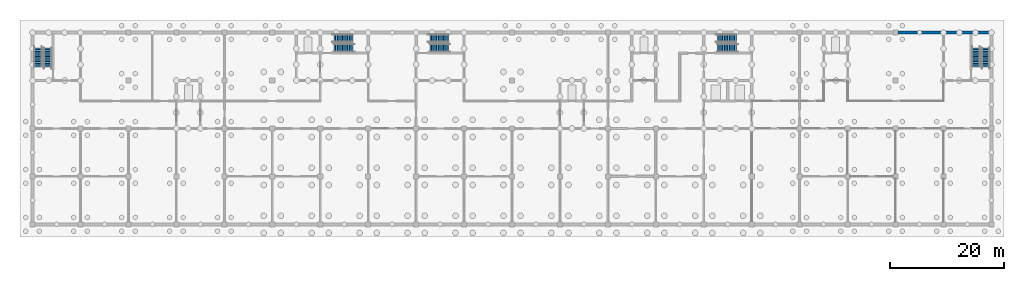
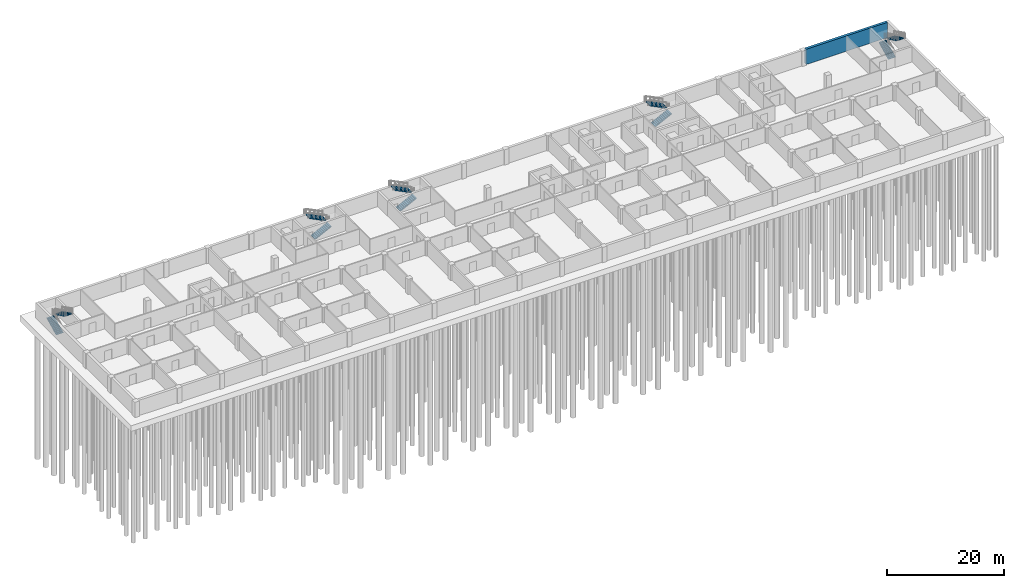
# One storey, part 9 of 11: 10 stair flights, 1 wall, 5 elements without a shape of their own.
"""IFC4 building model written with IfcOpenShell, lengths in metres."""

from ifc_helpers import new_model, si_unit, direction, frame, frame_2d, origin, place, context, subcontext, project, spatial, polyline, rectangle, outline, extrude, material, layer, layer_set, type_object, element, aggregate, save


model = new_model("IFC4")

# Units and contexts
model_context = context("Model", 3, precision=1e-05, world=origin(), true_north=direction((0.0, 1.0)))
body_context = subcontext(model_context, "Body", "Model", "MODEL_VIEW")
ifc_project = project(units=[si_unit("LENGTHUNIT", "METRE"), si_unit("AREAUNIT", "SQUARE_METRE"), si_unit("VOLUMEUNIT", "CUBIC_METRE"), si_unit("PLANEANGLEUNIT", "RADIAN"), si_unit("MASSUNIT", "GRAM", prefix="KILO")], contexts=[model_context])

# Site, building, storey
site_placement = place(None, origin())
site = spatial("IfcSite", under=ifc_project, at=site_placement, CompositionType="ELEMENT")
building_placement = place(site_placement, origin())
building = spatial("IfcBuilding", under=site, at=building_placement, Name="Yavir Park General Hospital", CompositionType="ELEMENT")
storey_placement = place(building_placement, frame((0.0, 0.0, -15.0)))
storey = spatial("IfcBuildingStorey", under=building, at=storey_placement, Name="B4", CompositionType="ELEMENT", Elevation=-15.0)

# Wall
ifc_material_1 = material(Name="Concrete C35/45", Category="concrete")
ifc_layer = layer(ifc_material_1, 0.5)
ifc_layer_set = layer_set([ifc_layer], Name="Concrete C35/45")
wall_type = type_object("IfcWallType", Name="RC WALL RETAINING 500", PredefinedType="SOLIDWALL", material=ifc_layer_set)
wall_placement = place(storey_placement, frame((151.64990234375, 33.60009765625, 0.0), z_axis=(0.0, 0.0, 1.0), x_axis=(1.0, 0.0, 0.0)))
element("IfcWall", 1, at=wall_placement, inside=storey, type_object=wall_type, Name="W:RET:B4:N29", PredefinedType="SOLIDWALL", context=body_context, shape_type="SweptSolid", body=[
    extrude(rectangle(XDim=16.10009765625, YDim=0.5, at=frame_2d((8.050048828125, 0.0))), origin(), (0.0, 0.0, 1.0), 3.199951171875),
])

# Stair, stair flights
ifc_material_2 = material(Name="Concrete C30/37", Category="concrete")
stair_type = type_object("IfcStairType", Name="Patient escape stair, 24 risers of 150 mm, 1400 mm flights", PredefinedType="HALF_TURN_STAIR", material=ifc_material_2)
stair_1_placement = place(storey_placement, origin())
stair_1 = element("IfcStair", 2, at=stair_1_placement, inside=storey, type_object=stair_type, Name="Stair BS1, B4 to B3", PredefinedType="HALF_TURN_STAIR")
ifc_material_3 = material(Name="Concrete C30/37", Category="concrete")
stair_flight_type = type_object("IfcStairFlightType", Name="Patient escape stair flight, 12 risers, 1400 mm wide", PredefinedType="STRAIGHT", material=ifc_material_3)
stair_flight_1_placement = place(storey_placement, frame((0.949951171875, 27.60009765625, 0.0), z_axis=(0.0, 0.0, 1.0), x_axis=(0.0, 1.0, 0.0)))
stair_flight_1 = element("IfcStairFlight", 3, at=stair_flight_1_placement, type_object=stair_flight_type, Name="BS1 flight 1", NumberOfRisers=12, NumberOfTreads=11, PredefinedType="STRAIGHT", RiserHeight=0.15, TreadLength=0.3, context=body_context, shape_type="SweptSolid", body=[
    extrude(outline(polyline([(0.0, 0.0), (0.0, 0.14990234375), (0.300048828125, 0.14990234375), (0.300048828125, 0.300048828125), (0.60009765625, 0.300048828125), (0.60009765625, 0.449951171875), (0.89990234375, 0.449951171875), (0.89990234375, 0.60009765625), (1.199951171875, 0.60009765625), (1.199951171875, 0.75), (1.5, 0.75), (1.5, 0.89990234375), (1.800048828125, 0.89990234375), (1.800048828125, 1.050048828125), (2.10009765625, 1.050048828125), (2.10009765625, 1.199951171875), (2.39990234375, 1.199951171875), (2.39990234375, 1.35009765625), (2.699951171875, 1.35009765625), (2.699951171875, 1.5), (3.0, 1.5), (3.0, 1.64990234375), (3.300048828125, 1.64990234375), (3.300048828125, 1.800048828125), (3.300048828125, 1.47119140625), (0.357666015625, 0.0), (0.0, 0.0)])), frame((0.0, 0.699951171875, 0.0), z_axis=(0.0, -1.0, 0.0), x_axis=(1.0, 0.0, 0.0)), (0.0, 0.0, 1.0), 1.39990234375),
])
stair_flight_2_placement = place(storey_placement, frame((2.64990234375, 30.89990234375, 1.800048828125), z_axis=(0.0, 0.0, 1.0), x_axis=(0.0, -1.0, 0.0)))
stair_flight_2 = element("IfcStairFlight", 4, at=stair_flight_2_placement, type_object=stair_flight_type, Name="BS1 flight 2", NumberOfRisers=12, NumberOfTreads=11, PredefinedType="STRAIGHT", RiserHeight=0.15, TreadLength=0.3, context=body_context, shape_type="SweptSolid", body=[
    extrude(outline(polyline([(0.0, 0.0), (0.0, 0.14990234375), (0.300048828125, 0.14990234375), (0.300048828125, 0.300048828125), (0.60009765625, 0.300048828125), (0.60009765625, 0.449951171875), (0.89990234375, 0.449951171875), (0.89990234375, 0.60009765625), (1.199951171875, 0.60009765625), (1.199951171875, 0.75), (1.5, 0.75), (1.5, 0.89990234375), (1.800048828125, 0.89990234375), (1.800048828125, 1.050048828125), (2.10009765625, 1.050048828125), (2.10009765625, 1.199951171875), (2.39990234375, 1.199951171875), (2.39990234375, 1.35009765625), (2.699951171875, 1.35009765625), (2.699951171875, 1.5), (3.0, 1.5), (3.0, 1.64990234375), (3.300048828125, 1.64990234375), (3.300048828125, 1.800048828125), (3.300048828125, 1.47119140625), (0.357666015625, 0.0), (0.0, 0.0)])), frame((0.0, 0.699951171875, 0.0), z_axis=(0.0, -1.0, 0.0), x_axis=(1.0, 0.0, 0.0)), (0.0, 0.0, 1.0), 1.39990234375),
])
aggregate(stair_1, [stair_flight_1, stair_flight_2])

stair_2_placement = place(storey_placement, origin())
stair_2 = element("IfcStair", 5, at=stair_2_placement, inside=storey, type_object=stair_type, Name="Stair BS2, B4 to B3", PredefinedType="HALF_TURN_STAIR")
stair_flight_3_placement = place(storey_placement, frame((52.800048828125, 30.89990234375, 0.0), z_axis=(0.0, 0.0, 1.0), x_axis=(1.0, 0.0, 0.0)))
stair_flight_3 = element("IfcStairFlight", 6, at=stair_flight_3_placement, type_object=stair_flight_type, Name="BS2 flight 1", NumberOfRisers=12, NumberOfTreads=11, PredefinedType="STRAIGHT", RiserHeight=0.15, TreadLength=0.3, context=body_context, shape_type="SweptSolid", body=[
    extrude(outline(polyline([(0.0, 0.0), (0.0, 0.14990234375), (0.300048828125, 0.14990234375), (0.300048828125, 0.300048828125), (0.60009765625, 0.300048828125), (0.60009765625, 0.449951171875), (0.89990234375, 0.449951171875), (0.89990234375, 0.60009765625), (1.199951171875, 0.60009765625), (1.199951171875, 0.75), (1.5, 0.75), (1.5, 0.89990234375), (1.800048828125, 0.89990234375), (1.800048828125, 1.050048828125), (2.10009765625, 1.050048828125), (2.10009765625, 1.199951171875), (2.39990234375, 1.199951171875), (2.39990234375, 1.35009765625), (2.699951171875, 1.35009765625), (2.699951171875, 1.5), (3.0, 1.5), (3.0, 1.64990234375), (3.300048828125, 1.64990234375), (3.300048828125, 1.800048828125), (3.300048828125, 1.47119140625), (0.357666015625, 0.0), (0.0, 0.0)])), frame((0.0, 0.699951171875, 0.0), z_axis=(0.0, -1.0, 0.0), x_axis=(1.0, 0.0, 0.0)), (0.0, 0.0, 1.0), 1.39990234375),
])
stair_flight_4_placement = place(storey_placement, frame((56.10009765625, 32.60009765625, 1.800048828125), z_axis=(0.0, 0.0, 1.0), x_axis=(-1.0, 0.0, 0.0)))
stair_flight_4 = element("IfcStairFlight", 7, at=stair_flight_4_placement, type_object=stair_flight_type, Name="BS2 flight 2", NumberOfRisers=12, NumberOfTreads=11, PredefinedType="STRAIGHT", RiserHeight=0.15, TreadLength=0.3, context=body_context, shape_type="SweptSolid", body=[
    extrude(outline(polyline([(0.0, 0.0), (0.0, 0.14990234375), (0.300048828125, 0.14990234375), (0.300048828125, 0.300048828125), (0.60009765625, 0.300048828125), (0.60009765625, 0.449951171875), (0.89990234375, 0.449951171875), (0.89990234375, 0.60009765625), (1.199951171875, 0.60009765625), (1.199951171875, 0.75), (1.5, 0.75), (1.5, 0.89990234375), (1.800048828125, 0.89990234375), (1.800048828125, 1.050048828125), (2.10009765625, 1.050048828125), (2.10009765625, 1.199951171875), (2.39990234375, 1.199951171875), (2.39990234375, 1.35009765625), (2.699951171875, 1.35009765625), (2.699951171875, 1.5), (3.0, 1.5), (3.0, 1.64990234375), (3.300048828125, 1.64990234375), (3.300048828125, 1.800048828125), (3.300048828125, 1.47119140625), (0.357666015625, 0.0), (0.0, 0.0)])), frame((0.0, 0.699951171875, 0.0), z_axis=(0.0, -1.0, 0.0), x_axis=(1.0, 0.0, 0.0)), (0.0, 0.0, 1.0), 1.39990234375),
])
aggregate(stair_2, [stair_flight_3, stair_flight_4])

stair_3_placement = place(storey_placement, origin())
stair_3 = element("IfcStair", 8, at=stair_3_placement, inside=storey, type_object=stair_type, Name="Stair BS3, B4 to B3", PredefinedType="HALF_TURN_STAIR")
stair_flight_5_placement = place(storey_placement, frame((69.60009765625, 30.89990234375, 0.0), z_axis=(0.0, 0.0, 1.0), x_axis=(1.0, 0.0, 0.0)))
stair_flight_5 = element("IfcStairFlight", 9, at=stair_flight_5_placement, type_object=stair_flight_type, Name="BS3 flight 1", NumberOfRisers=12, NumberOfTreads=11, PredefinedType="STRAIGHT", RiserHeight=0.15, TreadLength=0.3, context=body_context, shape_type="SweptSolid", body=[
    extrude(outline(polyline([(0.0, 0.0), (0.0, 0.14990234375), (0.300048828125, 0.14990234375), (0.300048828125, 0.300048828125), (0.60009765625, 0.300048828125), (0.60009765625, 0.449951171875), (0.89990234375, 0.449951171875), (0.89990234375, 0.60009765625), (1.199951171875, 0.60009765625), (1.199951171875, 0.75), (1.5, 0.75), (1.5, 0.89990234375), (1.800048828125, 0.89990234375), (1.800048828125, 1.050048828125), (2.10009765625, 1.050048828125), (2.10009765625, 1.199951171875), (2.39990234375, 1.199951171875), (2.39990234375, 1.35009765625), (2.699951171875, 1.35009765625), (2.699951171875, 1.5), (3.0, 1.5), (3.0, 1.64990234375), (3.300048828125, 1.64990234375), (3.300048828125, 1.800048828125), (3.300048828125, 1.47119140625), (0.357666015625, 0.0), (0.0, 0.0)])), frame((0.0, 0.699951171875, 0.0), z_axis=(0.0, -1.0, 0.0), x_axis=(1.0, 0.0, 0.0)), (0.0, 0.0, 1.0), 1.39990234375),
])
stair_flight_6_placement = place(storey_placement, frame((72.89990234375, 32.60009765625, 1.800048828125), z_axis=(0.0, 0.0, 1.0), x_axis=(-1.0, 0.0, 0.0)))
stair_flight_6 = element("IfcStairFlight", 10, at=stair_flight_6_placement, type_object=stair_flight_type, Name="BS3 flight 2", NumberOfRisers=12, NumberOfTreads=11, PredefinedType="STRAIGHT", RiserHeight=0.15, TreadLength=0.3, context=body_context, shape_type="SweptSolid", body=[
    extrude(outline(polyline([(0.0, 0.0), (0.0, 0.14990234375), (0.300048828125, 0.14990234375), (0.300048828125, 0.300048828125), (0.60009765625, 0.300048828125), (0.60009765625, 0.449951171875), (0.89990234375, 0.449951171875), (0.89990234375, 0.60009765625), (1.199951171875, 0.60009765625), (1.199951171875, 0.75), (1.5, 0.75), (1.5, 0.89990234375), (1.800048828125, 0.89990234375), (1.800048828125, 1.050048828125), (2.10009765625, 1.050048828125), (2.10009765625, 1.199951171875), (2.39990234375, 1.199951171875), (2.39990234375, 1.35009765625), (2.699951171875, 1.35009765625), (2.699951171875, 1.5), (3.0, 1.5), (3.0, 1.64990234375), (3.300048828125, 1.64990234375), (3.300048828125, 1.800048828125), (3.300048828125, 1.47119140625), (0.357666015625, 0.0), (0.0, 0.0)])), frame((0.0, 0.699951171875, 0.0), z_axis=(0.0, -1.0, 0.0), x_axis=(1.0, 0.0, 0.0)), (0.0, 0.0, 1.0), 1.39990234375),
])
aggregate(stair_3, [stair_flight_5, stair_flight_6])

stair_4_placement = place(storey_placement, origin())
stair_4 = element("IfcStair", 11, at=stair_4_placement, inside=storey, type_object=stair_type, Name="Stair BS4, B4 to B3", PredefinedType="HALF_TURN_STAIR")
stair_flight_7_placement = place(storey_placement, frame((120.0, 30.89990234375, 0.0), z_axis=(0.0, 0.0, 1.0), x_axis=(1.0, 0.0, 0.0)))
stair_flight_7 = element("IfcStairFlight", 12, at=stair_flight_7_placement, type_object=stair_flight_type, Name="BS4 flight 1", NumberOfRisers=12, NumberOfTreads=11, PredefinedType="STRAIGHT", RiserHeight=0.15, TreadLength=0.3, context=body_context, shape_type="SweptSolid", body=[
    extrude(outline(polyline([(0.0, 0.0), (0.0, 0.14990234375), (0.300048828125, 0.14990234375), (0.300048828125, 0.300048828125), (0.60009765625, 0.300048828125), (0.60009765625, 0.449951171875), (0.89990234375, 0.449951171875), (0.89990234375, 0.60009765625), (1.199951171875, 0.60009765625), (1.199951171875, 0.75), (1.5, 0.75), (1.5, 0.89990234375), (1.800048828125, 0.89990234375), (1.800048828125, 1.050048828125), (2.10009765625, 1.050048828125), (2.10009765625, 1.199951171875), (2.39990234375, 1.199951171875), (2.39990234375, 1.35009765625), (2.699951171875, 1.35009765625), (2.699951171875, 1.5), (3.0, 1.5), (3.0, 1.64990234375), (3.300048828125, 1.64990234375), (3.300048828125, 1.800048828125), (3.300048828125, 1.47119140625), (0.357666015625, 0.0), (0.0, 0.0)])), frame((0.0, 0.699951171875, 0.0), z_axis=(0.0, -1.0, 0.0), x_axis=(1.0, 0.0, 0.0)), (0.0, 0.0, 1.0), 1.39990234375),
])
stair_flight_8_placement = place(storey_placement, frame((123.300048828125, 32.60009765625, 1.800048828125), z_axis=(0.0, 0.0, 1.0), x_axis=(-1.0, 0.0, 0.0)))
stair_flight_8 = element("IfcStairFlight", 13, at=stair_flight_8_placement, type_object=stair_flight_type, Name="BS4 flight 2", NumberOfRisers=12, NumberOfTreads=11, PredefinedType="STRAIGHT", RiserHeight=0.15, TreadLength=0.3, context=body_context, shape_type="SweptSolid", body=[
    extrude(outline(polyline([(0.0, 0.0), (0.0, 0.14990234375), (0.300048828125, 0.14990234375), (0.300048828125, 0.300048828125), (0.60009765625, 0.300048828125), (0.60009765625, 0.449951171875), (0.89990234375, 0.449951171875), (0.89990234375, 0.60009765625), (1.199951171875, 0.60009765625), (1.199951171875, 0.75), (1.5, 0.75), (1.5, 0.89990234375), (1.800048828125, 0.89990234375), (1.800048828125, 1.050048828125), (2.10009765625, 1.050048828125), (2.10009765625, 1.199951171875), (2.39990234375, 1.199951171875), (2.39990234375, 1.35009765625), (2.699951171875, 1.35009765625), (2.699951171875, 1.5), (3.0, 1.5), (3.0, 1.64990234375), (3.300048828125, 1.64990234375), (3.300048828125, 1.800048828125), (3.300048828125, 1.47119140625), (0.357666015625, 0.0), (0.0, 0.0)])), frame((0.0, 0.699951171875, 0.0), z_axis=(0.0, -1.0, 0.0), x_axis=(1.0, 0.0, 0.0)), (0.0, 0.0, 1.0), 1.39990234375),
])
aggregate(stair_4, [stair_flight_7, stair_flight_8])

stair_5_placement = place(storey_placement, origin())
stair_5 = element("IfcStair", 14, at=stair_5_placement, inside=storey, type_object=stair_type, Name="Stair BS5, B4 to B3", PredefinedType="HALF_TURN_STAIR")
stair_flight_9_placement = place(storey_placement, frame((165.300048828125, 27.60009765625, 0.0), z_axis=(0.0, 0.0, 1.0), x_axis=(0.0, 1.0, 0.0)))
stair_flight_9 = element("IfcStairFlight", 15, at=stair_flight_9_placement, type_object=stair_flight_type, Name="BS5 flight 1", NumberOfRisers=12, NumberOfTreads=11, PredefinedType="STRAIGHT", RiserHeight=0.15, TreadLength=0.3, context=body_context, shape_type="SweptSolid", body=[
    extrude(outline(polyline([(0.0, 0.0), (0.0, 0.14990234375), (0.300048828125, 0.14990234375), (0.300048828125, 0.300048828125), (0.60009765625, 0.300048828125), (0.60009765625, 0.449951171875), (0.89990234375, 0.449951171875), (0.89990234375, 0.60009765625), (1.199951171875, 0.60009765625), (1.199951171875, 0.75), (1.5, 0.75), (1.5, 0.89990234375), (1.800048828125, 0.89990234375), (1.800048828125, 1.050048828125), (2.10009765625, 1.050048828125), (2.10009765625, 1.199951171875), (2.39990234375, 1.199951171875), (2.39990234375, 1.35009765625), (2.699951171875, 1.35009765625), (2.699951171875, 1.5), (3.0, 1.5), (3.0, 1.64990234375), (3.300048828125, 1.64990234375), (3.300048828125, 1.800048828125), (3.300048828125, 1.47119140625), (0.357666015625, 0.0), (0.0, 0.0)])), frame((0.0, 0.699951171875, 0.0), z_axis=(0.0, -1.0, 0.0), x_axis=(1.0, 0.0, 0.0)), (0.0, 0.0, 1.0), 1.39990234375),
])
stair_flight_10_placement = place(storey_placement, frame((167.0, 30.89990234375, 1.800048828125), z_axis=(0.0, 0.0, 1.0), x_axis=(0.0, -1.0, 0.0)))
stair_flight_10 = element("IfcStairFlight", 16, at=stair_flight_10_placement, type_object=stair_flight_type, Name="BS5 flight 2", NumberOfRisers=12, NumberOfTreads=11, PredefinedType="STRAIGHT", RiserHeight=0.15, TreadLength=0.3, context=body_context, shape_type="SweptSolid", body=[
    extrude(outline(polyline([(0.0, 0.0), (0.0, 0.14990234375), (0.300048828125, 0.14990234375), (0.300048828125, 0.300048828125), (0.60009765625, 0.300048828125), (0.60009765625, 0.449951171875), (0.89990234375, 0.449951171875), (0.89990234375, 0.60009765625), (1.199951171875, 0.60009765625), (1.199951171875, 0.75), (1.5, 0.75), (1.5, 0.89990234375), (1.800048828125, 0.89990234375), (1.800048828125, 1.050048828125), (2.10009765625, 1.050048828125), (2.10009765625, 1.199951171875), (2.39990234375, 1.199951171875), (2.39990234375, 1.35009765625), (2.699951171875, 1.35009765625), (2.699951171875, 1.5), (3.0, 1.5), (3.0, 1.64990234375), (3.300048828125, 1.64990234375), (3.300048828125, 1.800048828125), (3.300048828125, 1.47119140625), (0.357666015625, 0.0), (0.0, 0.0)])), frame((0.0, 0.699951171875, 0.0), z_axis=(0.0, -1.0, 0.0), x_axis=(1.0, 0.0, 0.0)), (0.0, 0.0, 1.0), 1.39990234375),
])
aggregate(stair_5, [stair_flight_9, stair_flight_10])

save(model, "model.ifc")
